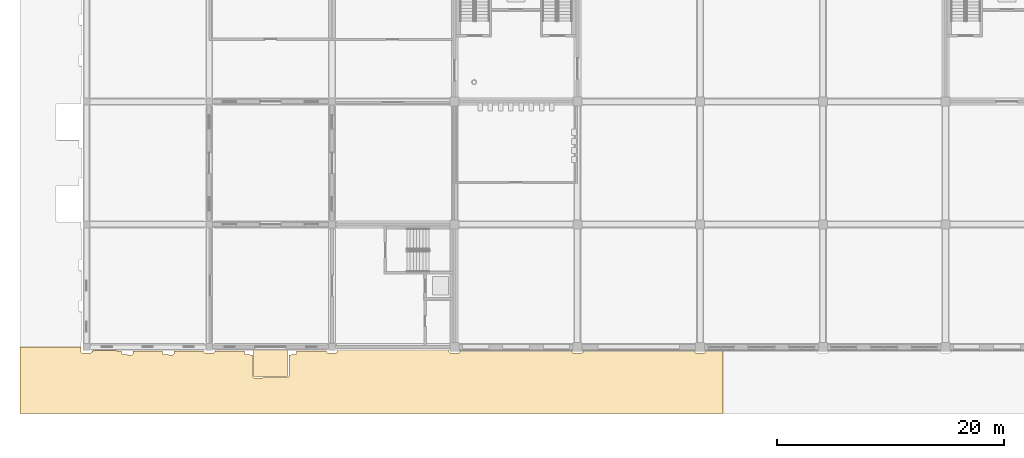
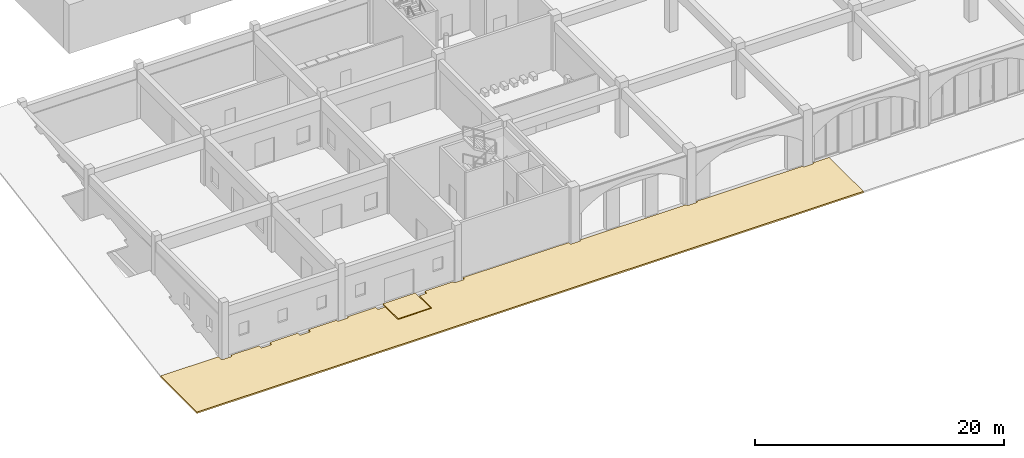
# One storey, part 73 of 101: 2 coverings.
"""IFC4 building model written with IfcOpenShell, lengths in metres."""

from ifc_helpers import new_model, si_unit, direction, frame, origin, origin_2d, place, context, subcontext, project, spatial, polyline, rectangle, outline, extrude, material, layer, layer_set, type_object, element, save


model = new_model("IFC4")

# Units and contexts
model_context = context("Model", 3, precision=1e-05, world=origin(), true_north=direction((0.0, 1.0)))
body_context = subcontext(model_context, "Body", "Model", "MODEL_VIEW")
ifc_project = project(units=[si_unit("LENGTHUNIT", "METRE"), si_unit("AREAUNIT", "SQUARE_METRE"), si_unit("VOLUMEUNIT", "CUBIC_METRE"), si_unit("PLANEANGLEUNIT", "RADIAN"), si_unit("MASSUNIT", "GRAM", prefix="KILO")], contexts=[model_context])

# Site, building, storey
site_placement = place(None, origin())
site = spatial("IfcSite", under=ifc_project, at=site_placement, CompositionType="ELEMENT")
building_placement = place(site_placement, origin())
building = spatial("IfcBuilding", under=site, at=building_placement, Name="Magnolia Steps Interchange", CompositionType="ELEMENT")
storey_placement = place(building_placement, frame((0.0, 0.0, -5.39990234375)))
storey = spatial("IfcBuildingStorey", under=building, at=storey_placement, Name="B1", CompositionType="ELEMENT", Elevation=-5.39990234375)

# Coverings
ifc_material = material(Name="Natural stone paving", Category="masonry")
ifc_layer = layer(ifc_material, 0.14990234375)
ifc_layer_set = layer_set([ifc_layer], Name="Stone paving 150")
covering_type = type_object("IfcCoveringType", Name="Stone paving 150", PredefinedType="FLOORING", material=ifc_layer_set)
covering_1_placement = place(storey_placement, frame((26.199951171875, 8.612548828125, -0.150146484375), z_axis=(0.0, 0.0, 1.0), x_axis=(1.0, 0.0, 0.0)))
element("IfcCovering", 1, at=covering_1_placement, inside=storey, type_object=covering_type, Name="Entrance paving", PredefinedType="FLOORING", context=body_context, shape_type="SweptSolid", body=[
    extrude(rectangle(XDim=3.0, YDim=2.425048828125, at=origin_2d()), origin(), (0.0, 0.0, 1.0), 0.14990234375),
])
covering_2_placement = place(storey_placement, frame((0.0, 0.0, -0.150146484375)))
element("IfcCovering", 2, at=covering_2_placement, inside=storey, type_object=covering_type, Name="Street paving south west", PredefinedType="FLOORING", context=body_context, shape_type="SweptSolid", body=[
    extrude(outline(polyline([(4.14990234375, 10.0), (9.50830078125, 10.0), (9.516845703125, 9.54443359375), (9.590087890625, 9.50048828125), (10.409912109375, 9.50048828125), (10.48828125, 9.552978515625), (10.5, 9.675048828125), (11.115966796875, 9.699951171875), (13.10009765625, 9.675048828125), (13.101806640625, 9.405517578125), (13.16162109375, 9.33251953125), (14.0, 9.324951171875), (14.095703125, 9.39599609375), (14.10009765625, 9.675048828125), (16.699951171875, 9.675048828125), (16.701904296875, 9.405517578125), (16.76171875, 9.33251953125), (17.60009765625, 9.324951171875), (17.69580078125, 9.39599609375), (17.699951171875, 9.675048828125), (20.300048828125, 9.675048828125), (20.3076171875, 9.561767578125), (20.380615234375, 9.501953125), (21.199951171875, 9.5), (21.2880859375, 9.552978515625), (21.300048828125, 9.675048828125), (23.89990234375, 9.675048828125), (23.952880859375, 9.3369140625), (24.60009765625, 9.324951171875), (24.6005859375, 7.39013671875), (24.699951171875, 7.300048828125), (27.755615234375, 7.31689453125), (27.800048828125, 7.39990234375), (27.800048828125, 9.324951171875), (28.447021484375, 9.3369140625), (28.5, 9.675048828125), (31.10009765625, 9.675048828125), (31.107666015625, 9.561767578125), (31.180419921875, 9.501953125), (32.0, 9.5), (32.09228515625, 9.561767578125), (32.10009765625, 9.77490234375), (41.89990234375, 9.77490234375), (41.90771484375, 9.561767578125), (42.0, 9.5), (42.819580078125, 9.501953125), (42.89990234375, 9.64990234375), (52.699951171875, 9.64990234375), (52.780517578125, 9.501953125), (53.60009765625, 9.5), (53.68310546875, 9.54443359375), (53.699951171875, 9.64990234375), (63.5, 9.64990234375), (63.58056640625, 9.501953125), (64.39990234375, 9.5), (64.483154296875, 9.54443359375), (64.5, 9.64990234375), (66.0, 9.64990234375), (66.0, 4.14990234375), (4.14990234375, 4.14990234375), (4.14990234375, 10.0)])), origin(), (0.0, 0.0, 1.0), 0.150146484375),
])

save(model, "model.ifc")
